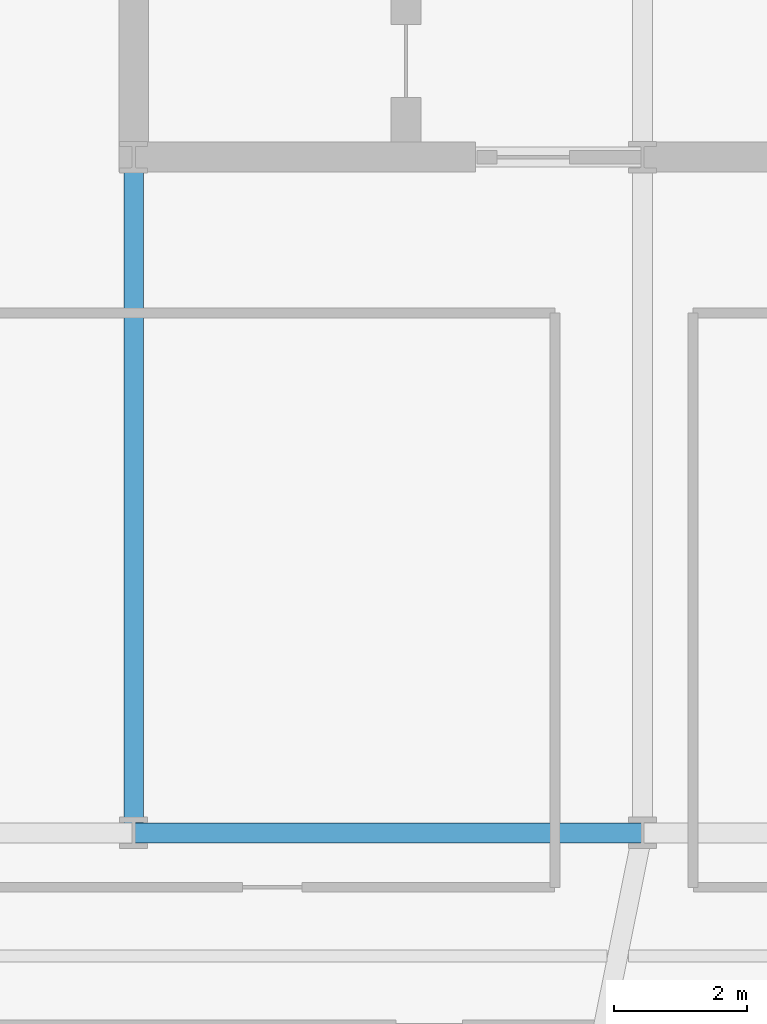
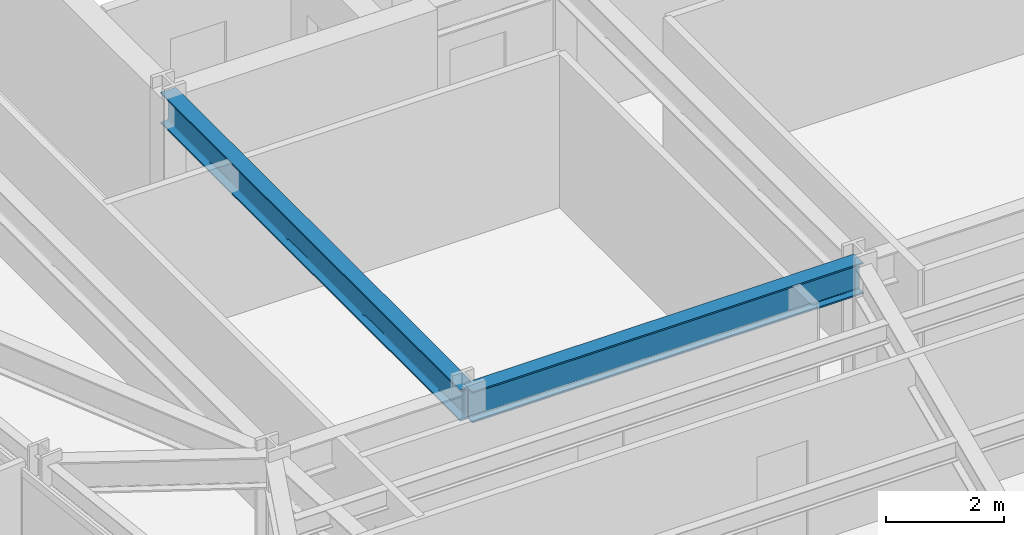
# One storey, part 7 of 32: 2 beams.
"""IFC4 building model written with IfcOpenShell, lengths in metres."""

from ifc_helpers import new_model, si_unit, direction, frame, origin, origin_2d, place, context, subcontext, project, spatial, i_section, extrude, material, material_profile, profile_set, type_object, element, save


model = new_model("IFC4")

# Units and contexts
model_context = context("Model", 3, precision=1e-05, world=origin(), true_north=direction((0.0, 1.0)))
body_context = subcontext(model_context, "Body", "Model", "MODEL_VIEW")
ifc_project = project(units=[si_unit("LENGTHUNIT", "METRE"), si_unit("AREAUNIT", "SQUARE_METRE"), si_unit("VOLUMEUNIT", "CUBIC_METRE"), si_unit("PLANEANGLEUNIT", "RADIAN"), si_unit("MASSUNIT", "GRAM", prefix="KILO")], contexts=[model_context])

# Site, building, storey
site_placement = place(None, origin())
site = spatial("IfcSite", under=ifc_project, at=site_placement, CompositionType="ELEMENT")
building_placement = place(site_placement, origin())
building = spatial("IfcBuilding", under=site, at=building_placement, Name="Yelkora Congress Tower", CompositionType="ELEMENT")
storey_placement = place(building_placement, frame((0.0, 0.0, 103.300048828125)))
storey = spatial("IfcBuildingStorey", under=building, at=storey_placement, Name="L27", CompositionType="ELEMENT", Elevation=103.300048828125)

# Beams
ifc_material = material(Name="Steel S355J2", Category="steel")
ifc_material_profile = material_profile(ifc_material, i_section(OverallWidth=0.300048828125, OverallDepth=0.64990234375, WebThickness=0.01611328125, FlangeThickness=0.031005859375, FilletRadius=0.027099609375, at=origin_2d()), Name="HEB 650")
ifc_profile_set = profile_set([ifc_material_profile], Name="Steel S355J2")
beam_type = type_object("IfcBeamType", Name="BM-GIRD-HEB650", PredefinedType="BEAM", material=ifc_profile_set)
beam_1_placement = place(storey_placement, frame((23.0400390625, 25.199951171875, 2.85498046875), z_axis=(1.0, 0.0, 0.0), x_axis=(0.0, 1.0, 0.0)))
element("IfcBeam", 1, at=beam_1_placement, inside=storey, type_object=beam_type, Name="L27 Spine Grid D Girder 2", PredefinedType="BEAM", context=body_context, shape_type="SweptSolid", body=[
    extrude(i_section(OverallWidth=0.300048828125, OverallDepth=0.64990234375, WebThickness=0.01611328125, FlangeThickness=0.031005859375, FilletRadius=0.027099609375, at=origin_2d()), origin(), (0.0, 0.0, 1.0), 7.679931640625),
])
beam_2_placement = place(storey_placement, frame((23.0400390625, 25.199951171875, 2.85498046875), z_axis=(0.0, 1.0, 0.0), x_axis=(-1.0, 0.0, 0.0)))
element("IfcBeam", 2, at=beam_2_placement, inside=storey, type_object=beam_type, Name="L27 Core Tie Girder MC-D1", PredefinedType="BEAM", context=body_context, shape_type="SweptSolid", body=[
    extrude(i_section(OverallWidth=0.300048828125, OverallDepth=0.64990234375, WebThickness=0.01611328125, FlangeThickness=0.031005859375, FilletRadius=0.027099609375, at=origin_2d()), origin(), (0.0, 0.0, 1.0), 10.199951171875),
])

save(model, "model.ifc")
